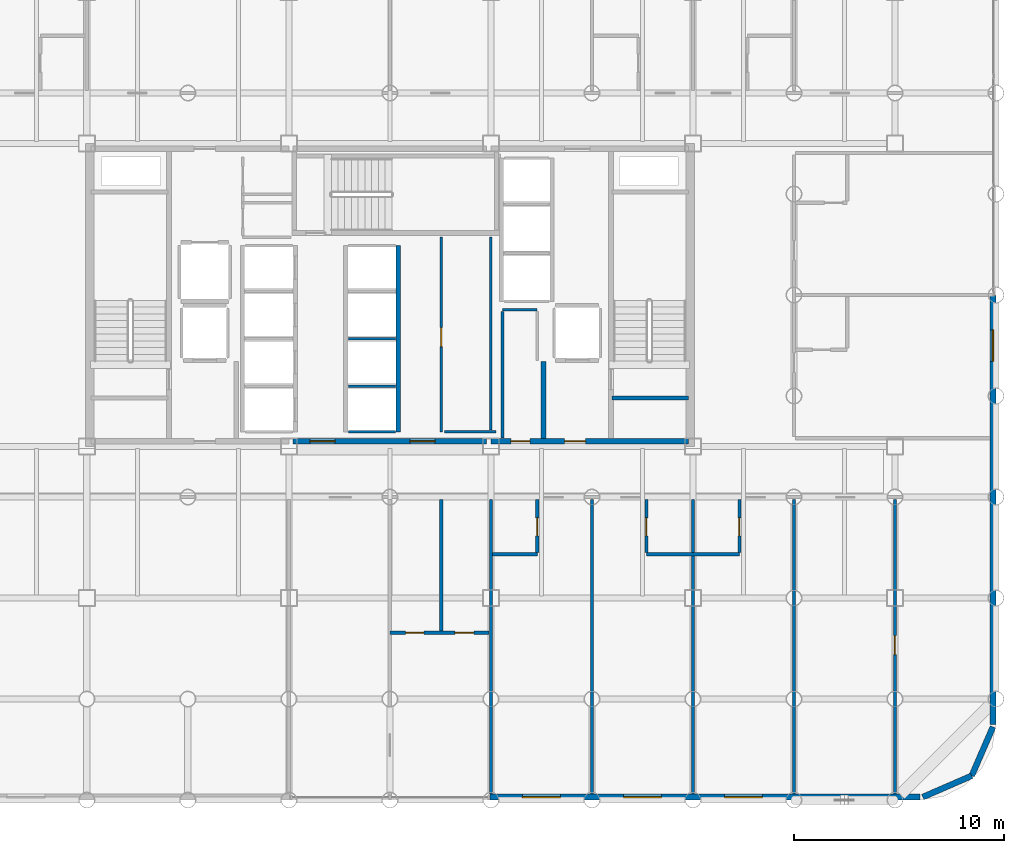
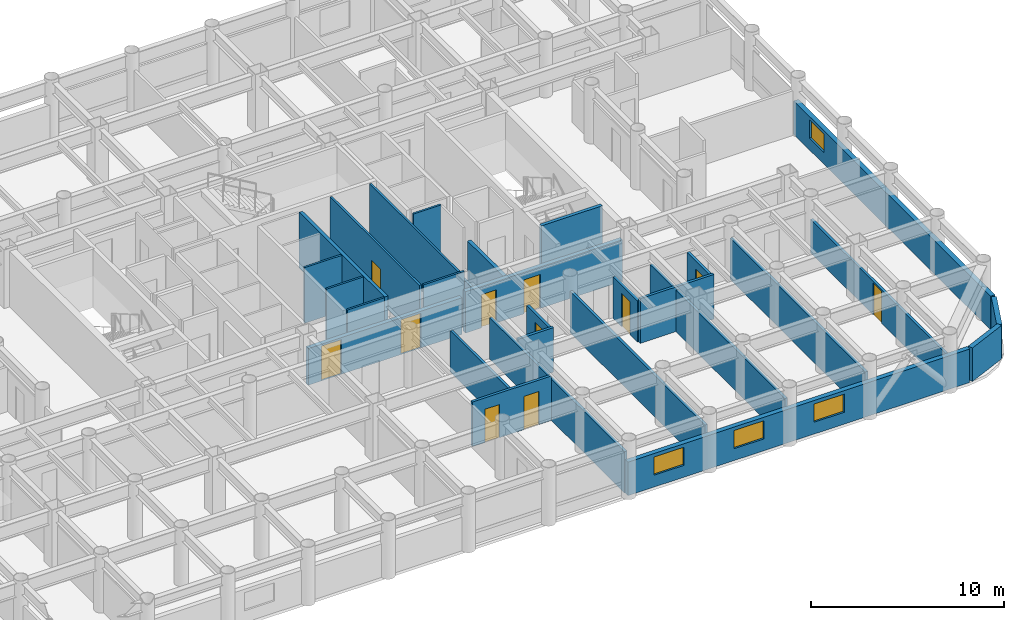
# One storey, part 17 of 22: 29 walls, 11 doors, 4 windows, 15 openings.
"""IFC4 building model written with IfcOpenShell, lengths in metres."""

from ifc_helpers import new_model, si_unit, direction, frame, frame_2d, origin, place, context, subcontext, project, spatial, rectangle, extrude, material, layer, layer_set, type_object, element, fill, save


model = new_model("IFC4")

# Units and contexts
model_context = context("Model", 3, precision=1e-05, world=origin(), true_north=direction((0.0, 1.0)))
body_context = subcontext(model_context, "Body", "Model", "MODEL_VIEW")
ifc_project = project(units=[si_unit("LENGTHUNIT", "METRE"), si_unit("AREAUNIT", "SQUARE_METRE"), si_unit("VOLUMEUNIT", "CUBIC_METRE"), si_unit("PLANEANGLEUNIT", "RADIAN"), si_unit("MASSUNIT", "GRAM", prefix="KILO")], contexts=[model_context])

# Site, building, storey
site_placement = place(None, origin())
site = spatial("IfcSite", under=ifc_project, at=site_placement, CompositionType="ELEMENT")
building_placement = place(site_placement, origin())
building = spatial("IfcBuilding", under=site, at=building_placement, Name="Kallvorn Hotel Tower", CompositionType="ELEMENT")
storey_placement = place(building_placement, frame((0.0, 0.0, 48.5)))
storey = spatial("IfcBuildingStorey", under=building, at=storey_placement, Name="L10", CompositionType="ELEMENT", Elevation=48.5)

# Wall, openings, doors
ifc_material_1 = material(Name="Fire-rated double-layer acoustic gypsum drywall EI 60")
ifc_layer_1 = layer(ifc_material_1, 0.159912109375)
ifc_layer_set_1 = layer_set([ifc_layer_1], Name="WL_DEMISE_160")
wall_type_1 = type_object("IfcWallType", Name="WL_DEMISE_160", PredefinedType="PARTITIONING", material=ifc_layer_set_1)
wall_1_placement = place(storey_placement, frame((0.0, -16.050048828125, 0.0), z_axis=(0.0, 0.0, 1.0), x_axis=(1.0, 0.0, 0.0)))
wall_1 = element("IfcWall", 1, at=wall_1_placement, inside=storey, type_object=wall_type_1, Name="L10 Suite 1003 Executive Bedroom Partition", PredefinedType="PARTITIONING", context=body_context, shape_type="SweptSolid", body=[
    extrude(rectangle(XDim=4.719970703125, YDim=0.159912109375, at=frame_2d((2.35986328125, 0.0))), origin(), (0.0, 0.0, 1.0), 2.820068359375),
])
opening_1_placement = place(wall_1_placement, frame((0.75, 0.0, 0.0)))
opening_1 = element("IfcOpeningElement", 2, at=opening_1_placement, cuts=wall_1, Name="Opening BD-I", PredefinedType="OPENING", context=body_context, shape_type="SweptSolid", body=[
    extrude(rectangle(XDim=0.860107421875, YDim=2.10009765625, at=frame_2d((0.43017578125, 1.050048828125))), frame((0.0, 0.094970703125, 0.0), z_axis=(0.0, -1.0, 0.0), x_axis=(1.0, 0.0, 0.0)), (0.0, 0.0, 1.0), 0.18994140625),
])
opening_2_placement = place(wall_1_placement, frame((3.090087890625, 0.0, 0.0)))
opening_2 = element("IfcOpeningElement", 3, at=opening_2_placement, cuts=wall_1, Name="Opening SVD1", PredefinedType="OPENING", context=body_context, shape_type="SweptSolid", body=[
    extrude(rectangle(XDim=0.89990234375, YDim=2.10009765625, at=frame_2d((0.449951171875, 1.050048828125))), frame((0.0, 0.094970703125, 0.0), z_axis=(0.0, -1.0, 0.0), x_axis=(1.0, 0.0, 0.0)), (0.0, 0.0, 1.0), 0.18994140625),
])
ifc_material_2 = material(Name="Solid-core walnut veneer fire-rated timber door leaf", Category="wood")
door_type_1 = type_object("IfcDoorType", Name="DR_BATH_860x2100", OperationType="NOTDEFINED", PredefinedType="DOOR", material=ifc_material_2)
door_1_placement = place(opening_1_placement, origin())
door_1 = element("IfcDoor", 4, at=door_1_placement, inside=storey, type_object=door_type_1, Name="L10 Suite 1003 En-Suite Bathroom Door", OperationType="SINGLE_SWING_LEFT", OverallHeight=2.10009765625, OverallWidth=0.860107421875, PredefinedType="DOOR", context=body_context, shape_type="SweptSolid", body=[
    extrude(rectangle(XDim=0.860107421875, YDim=2.10009765625, at=frame_2d((0.43017578125, 1.050048828125))), frame((0.0, 0.02490234375, 0.0), z_axis=(0.0, -1.0, 0.0), x_axis=(1.0, 0.0, 0.0)), (0.0, 0.0, 1.0), 0.050048828125),
])
fill(opening_1, door_1)
ifc_material_3 = material(Name="Galvanised painted steel fire-rated door assembly", Category="steel")
door_type_2 = type_object("IfcDoorType", Name="DR_SERV_900x2100", OperationType="NOTDEFINED", PredefinedType="DOOR", material=ifc_material_3)
door_2_placement = place(opening_2_placement, origin())
door_2 = element("IfcDoor", 5, at=door_2_placement, inside=storey, type_object=door_type_2, Name="L10 Suite 1003 Walk-In Dressing Closet Door", OperationType="SINGLE_SWING_LEFT", OverallHeight=2.10009765625, OverallWidth=0.89990234375, PredefinedType="DOOR", context=body_context, shape_type="SweptSolid", body=[
    extrude(rectangle(XDim=0.89990234375, YDim=2.10009765625, at=frame_2d((0.449951171875, 1.050048828125))), frame((0.0, 0.02490234375, 0.0), z_axis=(0.0, -1.0, 0.0), x_axis=(1.0, 0.0, 0.0)), (0.0, 0.0, 1.0), 0.050048828125),
])
fill(opening_2, door_2)

# Walls
wall_2_placement = place(storey_placement, frame((4.8798828125, -12.320068359375, 0.0), z_axis=(0.0, 0.0, 1.0), x_axis=(1.0, 0.0, 0.0)))
element("IfcWall", 6, at=wall_2_placement, inside=storey, type_object=wall_type_1, Name="L10 Suite 1004 Superior Twin Room Partition", PredefinedType="PARTITIONING", context=body_context, shape_type="SweptSolid", body=[
    extrude(rectangle(XDim=2.130126953125, YDim=0.159912109375, at=frame_2d((1.06494140625, 0.0))), origin(), (0.0, 0.0, 1.0), 2.820068359375),
])
wall_3_placement = place(storey_placement, frame((12.18994140625, -12.320068359375, 0.0), z_axis=(0.0, 0.0, 1.0), x_axis=(1.0, 0.0, 0.0)))
element("IfcWall", 7, at=wall_3_placement, inside=storey, type_object=wall_type_1, Name="L10 Suite 1005 Superior Twin Room Partition", PredefinedType="PARTITIONING", context=body_context, shape_type="SweptSolid", body=[
    extrude(rectangle(XDim=4.420166015625, YDim=0.159912109375, at=frame_2d((2.2099609375, 0.0))), origin(), (0.0, 0.0, 1.0), 2.820068359375),
])
wall_4_placement = place(storey_placement, frame((4.800048828125, -23.7099609375, 0.0), z_axis=(0.0, 0.0, 1.0), x_axis=(0.0, 1.0, 0.0)))
element("IfcWall", 8, at=wall_4_placement, inside=storey, type_object=wall_type_1, Name="L10 Suite 1003 Executive Bedroom Partition", PredefinedType="PARTITIONING", context=body_context, shape_type="SweptSolid", body=[
    extrude(rectangle(XDim=13.989990234375, YDim=0.159912109375, at=frame_2d((6.9951171875, 0.0))), origin(), (0.0, 0.0, 1.0), 2.6201171875),
])

# Wall, opening, door
wall_5_placement = place(storey_placement, frame((7.006591796875, -12.235107421875, 0.0), z_axis=(0.0, 0.0, 1.0), x_axis=(0.0, 1.0, 0.0)))
wall_5 = element("IfcWall", 9, at=wall_5_placement, inside=storey, type_object=wall_type_1, Name="L10 Suite 1004 Superior Twin Room Partition", PredefinedType="PARTITIONING", context=body_context, shape_type="SweptSolid", body=[
    extrude(rectangle(XDim=2.51513671875, YDim=0.159912109375, at=frame_2d((1.257568359375, 0.0))), origin(), (0.0, 0.0, 1.0), 2.6201171875),
])
opening_3_placement = place(wall_5_placement, frame((0.784912109375, 0.0, 0.0)))
opening_3 = element("IfcOpeningElement", 10, at=opening_3_placement, cuts=wall_5, Name="Opening BD-I", PredefinedType="OPENING", context=body_context, shape_type="SweptSolid", body=[
    extrude(rectangle(XDim=0.860107421875, YDim=2.10009765625, at=frame_2d((0.43017578125, 1.050048828125))), frame((0.0, 0.094970703125, 0.0), z_axis=(0.0, -1.0, 0.0), x_axis=(1.0, 0.0, 0.0)), (0.0, 0.0, 1.0), 0.18994140625),
])
door_3_placement = place(opening_3_placement, origin())
door_3 = element("IfcDoor", 11, at=door_3_placement, inside=storey, type_object=door_type_1, Name="L10 Suite 1004 En-Suite Bathroom Door", OperationType="SINGLE_SWING_RIGHT", OverallHeight=2.10009765625, OverallWidth=0.860107421875, PredefinedType="DOOR", context=body_context, shape_type="SweptSolid", body=[
    extrude(rectangle(XDim=0.860107421875, YDim=2.10009765625, at=frame_2d((0.43017578125, 1.050048828125))), frame((0.0, 0.02490234375, 0.0), z_axis=(0.0, -1.0, 0.0), x_axis=(1.0, 0.0, 0.0)), (0.0, 0.0, 1.0), 0.050048828125),
])
fill(opening_3, door_3)

# Wall
wall_6_placement = place(storey_placement, frame((9.60009765625, -23.7099609375, 0.0), z_axis=(0.0, 0.0, 1.0), x_axis=(0.0, 1.0, 0.0)))
element("IfcWall", 12, at=wall_6_placement, inside=storey, type_object=wall_type_1, Name="L10 Suite 1004 Superior Twin Room Partition", PredefinedType="PARTITIONING", context=body_context, shape_type="SweptSolid", body=[
    extrude(rectangle(XDim=13.989990234375, YDim=0.159912109375, at=frame_2d((6.9951171875, 0.0))), origin(), (0.0, 0.0, 1.0), 2.6201171875),
])

# Wall, opening, door
wall_7_placement = place(storey_placement, frame((12.18994140625, -12.235107421875, 0.0), z_axis=(0.0, 0.0, 1.0), x_axis=(0.0, 1.0, 0.0)))
wall_7 = element("IfcWall", 13, at=wall_7_placement, inside=storey, type_object=wall_type_1, Name="L10 Suite 1005 Superior Twin Room Partition", PredefinedType="PARTITIONING", context=body_context, shape_type="SweptSolid", body=[
    extrude(rectangle(XDim=2.51513671875, YDim=0.159912109375, at=frame_2d((1.257568359375, 0.0))), origin(), (0.0, 0.0, 1.0), 2.6201171875),
])
opening_4_placement = place(wall_7_placement, frame((0.784912109375, 0.0, 0.0)))
opening_4 = element("IfcOpeningElement", 14, at=opening_4_placement, cuts=wall_7, Name="Opening BD-I", PredefinedType="OPENING", context=body_context, shape_type="SweptSolid", body=[
    extrude(rectangle(XDim=0.860107421875, YDim=2.10009765625, at=frame_2d((0.43017578125, 1.050048828125))), frame((0.0, 0.094970703125, 0.0), z_axis=(0.0, -1.0, 0.0), x_axis=(1.0, 0.0, 0.0)), (0.0, 0.0, 1.0), 0.18994140625),
])
door_4_placement = place(opening_4_placement, origin())
door_4 = element("IfcDoor", 15, at=door_4_placement, inside=storey, type_object=door_type_1, Name="L10 Suite 1005 En-Suite Bathroom Door", OperationType="SINGLE_SWING_LEFT", OverallHeight=2.10009765625, OverallWidth=0.860107421875, PredefinedType="DOOR", context=body_context, shape_type="SweptSolid", body=[
    extrude(rectangle(XDim=0.860107421875, YDim=2.10009765625, at=frame_2d((0.43017578125, 1.050048828125))), frame((0.0, 0.02490234375, 0.0), z_axis=(0.0, -1.0, 0.0), x_axis=(1.0, 0.0, 0.0)), (0.0, 0.0, 1.0), 0.050048828125),
])
fill(opening_4, door_4)

# Wall
wall_8_placement = place(storey_placement, frame((14.39990234375, -23.7099609375, 0.0), z_axis=(0.0, 0.0, 1.0), x_axis=(0.0, 1.0, 0.0)))
element("IfcWall", 16, at=wall_8_placement, inside=storey, type_object=wall_type_1, Name="L10 Suite 1005 Superior Twin Room Partition", PredefinedType="PARTITIONING", context=body_context, shape_type="SweptSolid", body=[
    extrude(rectangle(XDim=13.989990234375, YDim=0.159912109375, at=frame_2d((6.9951171875, 0.0))), origin(), (0.0, 0.0, 1.0), 2.6201171875),
])

# Wall, opening, door
wall_9_placement = place(storey_placement, frame((16.610107421875, -12.235107421875, 0.0), z_axis=(0.0, 0.0, 1.0), x_axis=(0.0, 1.0, 0.0)))
wall_9 = element("IfcWall", 17, at=wall_9_placement, inside=storey, type_object=wall_type_1, Name="L10 Suite 1006 Superior Twin Room Partition", PredefinedType="PARTITIONING", context=body_context, shape_type="SweptSolid", body=[
    extrude(rectangle(XDim=2.51513671875, YDim=0.159912109375, at=frame_2d((1.257568359375, 0.0))), origin(), (0.0, 0.0, 1.0), 2.6201171875),
])
opening_5_placement = place(wall_9_placement, frame((0.784912109375, 0.0, 0.0)))
opening_5 = element("IfcOpeningElement", 18, at=opening_5_placement, cuts=wall_9, Name="Opening BD-I", PredefinedType="OPENING", context=body_context, shape_type="SweptSolid", body=[
    extrude(rectangle(XDim=0.860107421875, YDim=2.10009765625, at=frame_2d((0.43017578125, 1.050048828125))), frame((0.0, 0.094970703125, 0.0), z_axis=(0.0, -1.0, 0.0), x_axis=(1.0, 0.0, 0.0)), (0.0, 0.0, 1.0), 0.18994140625),
])
door_5_placement = place(opening_5_placement, origin())
door_5 = element("IfcDoor", 19, at=door_5_placement, inside=storey, type_object=door_type_1, Name="L10 Suite 1006 En-Suite Bathroom Door", OperationType="SINGLE_SWING_LEFT", OverallHeight=2.10009765625, OverallWidth=0.860107421875, PredefinedType="DOOR", context=body_context, shape_type="SweptSolid", body=[
    extrude(rectangle(XDim=0.860107421875, YDim=2.10009765625, at=frame_2d((0.43017578125, 1.050048828125))), frame((0.0, 0.02490234375, 0.0), z_axis=(0.0, -1.0, 0.0), x_axis=(1.0, 0.0, 0.0)), (0.0, 0.0, 1.0), 0.050048828125),
])
fill(opening_5, door_5)

# Walls
wall_10_placement = place(storey_placement, frame((19.199951171875, -23.7099609375, 0.0), z_axis=(0.0, 0.0, 1.0), x_axis=(0.0, 1.0, 0.0)))
element("IfcWall", 20, at=wall_10_placement, inside=storey, type_object=wall_type_1, Name="L10 Suite 1006 Superior Twin Room Partition", PredefinedType="PARTITIONING", context=body_context, shape_type="SweptSolid", body=[
    extrude(rectangle(XDim=13.989990234375, YDim=0.159912109375, at=frame_2d((6.9951171875, 0.0))), origin(), (0.0, 0.0, 1.0), 2.6201171875),
])
ifc_material_4 = material(Name="Precast basalt-clad insulated concrete wall C40/50", Category="masonry")
ifc_layer_2 = layer(ifc_material_4, 0.280029296875)
ifc_layer_set_2 = layer_set([ifc_layer_2], Name="WL_EXT_LOGGIA_280")
wall_type_2 = type_object("IfcWallType", Name="WL_EXT_LOGGIA_280", PredefinedType="SOLIDWALL", material=ifc_layer_set_2)
wall_11_placement = place(storey_placement, frame((25.32080078125, -23.85791015625, 0.0), z_axis=(0.0, 0.0, 1.0), x_axis=(0.917060872934, 0.398747232384, 0.0)))
element("IfcWall", 21, at=wall_11_placement, inside=storey, type_object=wall_type_2, Name="L10 Rounded Corner Exterior Wall SE1", PredefinedType="SOLIDWALL", context=body_context, shape_type="SweptSolid", body=[
    extrude(rectangle(XDim=2.5361328125, YDim=0.280029296875, at=frame_2d((1.26806640625, 0.0))), origin(), (0.0, 0.0, 1.0), 2.1201171875),
])
wall_12_placement = place(storey_placement, frame((27.646484375, -22.8466796875, 0.0), z_axis=(0.0, 0.0, 1.0), x_axis=(0.398792985289, 0.917040977756, 0.0)))
element("IfcWall", 22, at=wall_12_placement, inside=storey, type_object=wall_type_2, Name="L10 Rounded Corner Exterior Wall SE2", PredefinedType="SOLIDWALL", context=body_context, shape_type="SweptSolid", body=[
    extrude(rectangle(XDim=2.536376953125, YDim=0.280029296875, at=frame_2d((1.26806640625, 0.0))), origin(), (0.0, 0.0, 1.0), 2.1201171875),
])

# Wall, openings, windows
wall_13_placement = place(storey_placement, frame((4.75, -23.860107421875, 0.0), z_axis=(0.0, 0.0, 1.0), x_axis=(1.0, 0.0, 0.0)))
wall_13 = element("IfcWall", 23, at=wall_13_placement, inside=storey, type_object=wall_type_2, Name="L10 Exterior Envelope Wall EW-L10-SE", PredefinedType="SOLIDWALL", context=body_context, shape_type="SweptSolid", body=[
    extrude(rectangle(XDim=20.449951171875, YDim=0.280029296875, at=frame_2d((10.22509765625, 0.0))), origin(), (0.0, 0.0, 1.0), 2.1201171875),
])
opening_6_placement = place(wall_13_placement, frame((1.550048828125, 0.0, 0.75)))
opening_6 = element("IfcOpeningElement", 24, at=opening_6_placement, cuts=wall_13, Name="Opening W04A", PredefinedType="OPENING", context=body_context, shape_type="SweptSolid", body=[
    extrude(rectangle(XDim=1.800048828125, YDim=1.14990234375, at=frame_2d((0.89990234375, 0.574951171875))), frame((0.0, 0.155029296875, 0.0), z_axis=(0.0, -1.0, 0.0), x_axis=(1.0, 0.0, 0.0)), (0.0, 0.0, 1.0), 0.31005859375),
])
opening_7_placement = place(wall_13_placement, frame((6.35009765625, 0.0, 0.75)))
opening_7 = element("IfcOpeningElement", 25, at=opening_7_placement, cuts=wall_13, Name="Opening W04A", PredefinedType="OPENING", context=body_context, shape_type="SweptSolid", body=[
    extrude(rectangle(XDim=1.800048828125, YDim=1.14990234375, at=frame_2d((0.89990234375, 0.574951171875))), frame((0.0, 0.155029296875, 0.0), z_axis=(0.0, -1.0, 0.0), x_axis=(1.0, 0.0, 0.0)), (0.0, 0.0, 1.0), 0.31005859375),
])
opening_8_placement = place(wall_13_placement, frame((11.14990234375, 0.0, 0.75)))
opening_8 = element("IfcOpeningElement", 26, at=opening_8_placement, cuts=wall_13, Name="Opening W04A", PredefinedType="OPENING", context=body_context, shape_type="SweptSolid", body=[
    extrude(rectangle(XDim=1.800048828125, YDim=1.14990234375, at=frame_2d((0.89990234375, 0.574951171875))), frame((0.0, 0.155029296875, 0.0), z_axis=(0.0, -1.0, 0.0), x_axis=(1.0, 0.0, 0.0)), (0.0, 0.0, 1.0), 0.31005859375),
])
ifc_material_5 = material(Name="Double-glazed low-e solar-control dark glass", Category="glass")
window_type_1 = type_object("IfcWindowType", Name="WN_HTL_1800x1150", PartitioningType="SINGLE_PANEL", PredefinedType="WINDOW", material=ifc_material_5)
window_1_placement = place(opening_6_placement, origin())
window_1 = element("IfcWindow", 27, at=window_1_placement, inside=storey, type_object=window_type_1, Name="L10 Guestroom Exterior Window 03", OverallHeight=1.14990234375, OverallWidth=1.800048828125, PartitioningType="SINGLE_PANEL", PredefinedType="WINDOW", context=body_context, shape_type="SweptSolid", body=[
    extrude(rectangle(XDim=1.800048828125, YDim=1.14990234375, at=frame_2d((0.89990234375, 0.574951171875))), frame((0.0, 0.030029296875, 0.0), z_axis=(0.0, -1.0, 0.0), x_axis=(1.0, 0.0, 0.0)), (0.0, 0.0, 1.0), 0.06005859375),
])
fill(opening_6, window_1)
window_2_placement = place(opening_7_placement, origin())
window_2 = element("IfcWindow", 28, at=window_2_placement, inside=storey, type_object=window_type_1, Name="L10 Guestroom Exterior Window 04", OverallHeight=1.14990234375, OverallWidth=1.800048828125, PartitioningType="SINGLE_PANEL", PredefinedType="WINDOW", context=body_context, shape_type="SweptSolid", body=[
    extrude(rectangle(XDim=1.800048828125, YDim=1.14990234375, at=frame_2d((0.89990234375, 0.574951171875))), frame((0.0, 0.030029296875, 0.0), z_axis=(0.0, -1.0, 0.0), x_axis=(1.0, 0.0, 0.0)), (0.0, 0.0, 1.0), 0.06005859375),
])
fill(opening_7, window_2)
window_3_placement = place(opening_8_placement, origin())
window_3 = element("IfcWindow", 29, at=window_3_placement, inside=storey, type_object=window_type_1, Name="L10 Guestroom Exterior Window 05", OverallHeight=1.14990234375, OverallWidth=1.800048828125, PartitioningType="SINGLE_PANEL", PredefinedType="WINDOW", context=body_context, shape_type="SweptSolid", body=[
    extrude(rectangle(XDim=1.800048828125, YDim=1.14990234375, at=frame_2d((0.89990234375, 0.574951171875))), frame((0.0, 0.030029296875, 0.0), z_axis=(0.0, -1.0, 0.0), x_axis=(1.0, 0.0, 0.0)), (0.0, 0.0, 1.0), 0.06005859375),
])
fill(opening_8, window_3)

# Wall, opening, window
wall_14_placement = place(storey_placement, frame((28.659912109375, -20.39990234375, 0.0), z_axis=(0.0, 0.0, 1.0), x_axis=(0.0, 1.0, 0.0)))
wall_14 = element("IfcWall", 30, at=wall_14_placement, inside=storey, type_object=wall_type_2, Name="L10 Exterior Envelope Wall EW-L10-ES", PredefinedType="SOLIDWALL", context=body_context, shape_type="SweptSolid", body=[
    extrude(rectangle(XDim=20.3798828125, YDim=0.280029296875, at=frame_2d((10.18994140625, 0.0))), origin(), (0.0, 0.0, 1.0), 2.1201171875),
])
opening_9_placement = place(wall_14_placement, frame((17.25, 0.0, 0.75)))
opening_9 = element("IfcOpeningElement", 31, at=opening_9_placement, cuts=wall_14, Name="Opening W05A", PredefinedType="OPENING", context=body_context, shape_type="SweptSolid", body=[
    extrude(rectangle(XDim=1.5, YDim=1.14990234375, at=frame_2d((0.75, 0.574951171875))), frame((0.0, 0.155029296875, 0.0), z_axis=(0.0, -1.0, 0.0), x_axis=(1.0, 0.0, 0.0)), (0.0, 0.0, 1.0), 0.31005859375),
])
ifc_material_6 = material(Name="Double-glazed low-e solar-control dark glass", Category="glass")
window_type_2 = type_object("IfcWindowType", Name="WN_HTL_1500x1150", PartitioningType="SINGLE_PANEL", PredefinedType="WINDOW", material=ifc_material_6)
window_4_placement = place(opening_9_placement, origin())
window_4 = element("IfcWindow", 32, at=window_4_placement, inside=storey, type_object=window_type_2, Name="L10 Flank Wing Window 01", OverallHeight=1.14990234375, OverallWidth=1.5, PartitioningType="SINGLE_PANEL", PredefinedType="WINDOW", context=body_context, shape_type="SweptSolid", body=[
    extrude(rectangle(XDim=1.5, YDim=1.14990234375, at=frame_2d((0.75, 0.574951171875))), frame((0.0, 0.030029296875, 0.0), z_axis=(0.0, -1.0, 0.0), x_axis=(1.0, 0.0, 0.0)), (0.0, 0.0, 1.0), 0.06005859375),
])
fill(opening_9, window_4)

# Walls
ifc_material_7 = material(Name="Concrete C40/50", Category="concrete")
ifc_layer_3 = layer(ifc_material_7, 0.219970703125)
ifc_layer_set_3 = layer_set([ifc_layer_3], Name="WL_FFL_220")
wall_type_3 = type_object("IfcWallType", Name="WL_FFL_220", PredefinedType="SOLIDWALL", material=ifc_layer_set_3)
wall_15_placement = place(storey_placement, frame((7.300048828125, -6.820068359375, 0.0), z_axis=(0.0, 0.0, 1.0), x_axis=(0.0, 1.0, 0.0)))
element("IfcWall", 33, at=wall_15_placement, inside=storey, type_object=wall_type_3, Name="L10 Firefighting Lobby East Divider Wall", PredefinedType="SOLIDWALL", context=body_context, shape_type="SweptSolid", body=[
    extrude(rectangle(XDim=3.670166015625, YDim=0.219970703125, at=frame_2d((1.8349609375, 0.0))), origin(), (0.0, 0.0, 1.0), 2.6201171875),
])
ifc_material_8 = material(Name="Concrete C40/50", Category="concrete")
ifc_layer_4 = layer(ifc_material_8, 0.199951171875)
ifc_layer_set_4 = layer_set([ifc_layer_4], Name="WL_HOIST_200")
wall_type_4 = type_object("IfcWallType", Name="WL_HOIST_200", PredefinedType="SOLIDWALL", material=ifc_layer_set_4)
wall_16_placement = place(storey_placement, frame((10.550048828125, -4.89990234375, -0.179931640625), z_axis=(0.0, 0.0, 1.0), x_axis=(1.0, 0.0, 0.0)))
element("IfcWall", 34, at=wall_16_placement, inside=storey, type_object=wall_type_4, Name="L10 Stair ST2 South Wall", PredefinedType="SOLIDWALL", context=body_context, shape_type="SweptSolid", body=[
    extrude(rectangle(XDim=3.64990234375, YDim=0.199951171875, at=frame_2d((1.824951171875, 0.0))), origin(), (0.0, 0.0, 1.0), 3.699951171875),
])
wall_17_placement = place(storey_placement, frame((0.39990234375, -6.5, 0.0), z_axis=(0.0, 0.0, 1.0), x_axis=(0.0, 1.0, 0.0)))
element("IfcWall", 35, at=wall_17_placement, inside=storey, type_object=wall_type_4, Name="L10 Lift Bank B2 Rear Shaft Wall", PredefinedType="SOLIDWALL", context=body_context, shape_type="SweptSolid", body=[
    extrude(rectangle(XDim=8.85009765625, YDim=0.199951171875, at=frame_2d((4.425048828125, 0.0))), origin(), (0.0, 0.0, 1.0), 3.52001953125),
])
ifc_material_9 = material(Name="Fire-rated double-layer acoustic gypsum drywall EI 60")
ifc_layer_5 = layer(ifc_material_9, 0.1201171875)
ifc_layer_set_5 = layer_set([ifc_layer_5], Name="WL_INT_120")
wall_type_5 = type_object("IfcWallType", Name="WL_INT_120", PredefinedType="PARTITIONING", material=ifc_layer_set_5)
for number, where, z_axis, x_axis, name in (
    (36, (-1.9599609375, -6.5, 0.0), (0.0, 0.0, 1.0), (1.0, 0.0, 0.0), "L10 Lift Bank B2 South Closure Wall"),
    (37, (-1.9599609375, -4.324951171875, 0.0), (0.0, 0.0, 1.0), (1.0, 0.0, 0.0), "L10 PL-05 Hoistway Divider"),
    (38, (-1.9599609375, -2.074951171875, 0.0), (0.0, 0.0, 1.0), (1.0, 0.0, 0.0), "L10 PL-06 Hoistway Divider"),
):
    element("IfcWall", number, at=place(storey_placement, frame(where, z_axis=z_axis, x_axis=x_axis)), inside=storey, type_object=wall_type_5, Name=name, PredefinedType="PARTITIONING", context=body_context, shape_type="SweptSolid", body=[
        extrude(rectangle(XDim=2.219970703125, YDim=0.1201171875, at=frame_2d((1.10986328125, 0.0))), origin(), (0.0, 0.0, 1.0), 3.52001953125),
    ])
wall_18_placement = place(storey_placement, frame((2.60009765625, -6.5, 0.0), z_axis=(0.0, 0.0, 1.0), x_axis=(1.0, 0.0, 0.0)))
element("IfcWall", 39, at=wall_18_placement, inside=storey, type_object=wall_type_5, Name="L10 East Core Consolidated Linen and Supply Store Partition", PredefinedType="PARTITIONING", context=body_context, shape_type="SweptSolid", body=[
    extrude(rectangle(XDim=2.449951171875, YDim=0.1201171875, at=frame_2d((1.22509765625, 0.0))), origin(), (0.0, 0.0, 1.0), 3.52001953125),
])
wall_19_placement = place(storey_placement, frame((5.35009765625, -0.699951171875, 0.0), z_axis=(0.0, 0.0, 1.0), x_axis=(1.0, 0.0, 0.0)))
element("IfcWall", 40, at=wall_19_placement, inside=storey, type_object=wall_type_5, Name="L10 Core Utility and Meter Room Partition", PredefinedType="PARTITIONING", context=body_context, shape_type="SweptSolid", body=[
    extrude(rectangle(XDim=1.64990234375, YDim=0.1201171875, at=frame_2d((0.824951171875, 0.0))), origin(), (0.0, 0.0, 1.0), 3.52001953125),
])

# Wall, opening, door
wall_20_placement = place(storey_placement, frame((2.43994140625, -6.5, 0.0), z_axis=(0.0, 0.0, 1.0), x_axis=(0.0, 1.0, 0.0)))
wall_20 = element("IfcWall", 41, at=wall_20_placement, inside=storey, type_object=wall_type_5, Name="L10 East Core Consolidated Linen and Supply Store Partition", PredefinedType="PARTITIONING", context=body_context, shape_type="SweptSolid", body=[
    extrude(rectangle(XDim=9.25, YDim=0.1201171875, at=frame_2d((4.625, 0.0))), origin(), (0.0, 0.0, 1.0), 3.52001953125),
])
opening_10_placement = place(wall_20_placement, frame((4.050048828125, 0.0, 0.0)))
opening_10 = element("IfcOpeningElement", 42, at=opening_10_placement, cuts=wall_20, Name="Opening SVD1", PredefinedType="OPENING", context=body_context, shape_type="SweptSolid", body=[
    extrude(rectangle(XDim=0.89990234375, YDim=2.10009765625, at=frame_2d((0.449951171875, 1.050048828125))), frame((0.0, 0.074951171875, 0.0), z_axis=(0.0, -1.0, 0.0), x_axis=(1.0, 0.0, 0.0)), (0.0, 0.0, 1.0), 0.150146484375),
])
door_6_placement = place(opening_10_placement, origin())
door_6 = element("IfcDoor", 43, at=door_6_placement, inside=storey, type_object=door_type_2, Name="L10 East Core Consolidated Linen and Supply Store Door", OperationType="SINGLE_SWING_RIGHT", OverallHeight=2.10009765625, OverallWidth=0.89990234375, PredefinedType="DOOR", context=body_context, shape_type="SweptSolid", body=[
    extrude(rectangle(XDim=0.89990234375, YDim=2.10009765625, at=frame_2d((0.449951171875, 1.050048828125))), frame((0.0, 0.02490234375, 0.0), z_axis=(0.0, -1.0, 0.0), x_axis=(1.0, 0.0, 0.0)), (0.0, 0.0, 1.0), 0.050048828125),
])
fill(opening_10, door_6)

# Walls
wall_21_placement = place(storey_placement, frame((4.800048828125, -6.4150390625, 0.0), z_axis=(0.0, 0.0, 1.0), x_axis=(0.0, 1.0, 0.0)))
element("IfcWall", 44, at=wall_21_placement, inside=storey, type_object=wall_type_5, Name="L10 East Core Consolidated Linen and Supply Store Partition", PredefinedType="PARTITIONING", context=body_context, shape_type="SweptSolid", body=[
    extrude(rectangle(XDim=9.1650390625, YDim=0.1201171875, at=frame_2d((4.58251953125, 0.0))), origin(), (0.0, 0.0, 1.0), 3.52001953125),
])
wall_22_placement = place(storey_placement, frame((5.35009765625, -6.800048828125, 0.0), z_axis=(0.0, 0.0, 1.0), x_axis=(0.0, 1.0, 0.0)))
element("IfcWall", 45, at=wall_22_placement, inside=storey, type_object=wall_type_5, Name="L10 Core Utility and Meter Room Partition", PredefinedType="PARTITIONING", context=body_context, shape_type="SweptSolid", body=[
    extrude(rectangle(XDim=6.01513671875, YDim=0.1201171875, at=frame_2d((3.007568359375, 0.0))), origin(), (0.0, 0.0, 1.0), 2.6201171875),
])
ifc_material_10 = material(Name="Fire-rated double-layer acoustic gypsum drywall EI 60")
ifc_layer_6 = layer(ifc_material_10, 0.14990234375)
ifc_layer_set_6 = layer_set([ifc_layer_6], Name="WL_PART_150")
wall_type_6 = type_object("IfcWallType", Name="WL_PART_150", PredefinedType="PARTITIONING", material=ifc_layer_set_6)
wall_23_placement = place(storey_placement, frame((2.43994140625, -15.965087890625, 0.0), z_axis=(0.0, 0.0, 1.0), x_axis=(0.0, 1.0, 0.0)))
element("IfcWall", 46, at=wall_23_placement, inside=storey, type_object=wall_type_6, Name="L10 Suite 1003 Walk-In Dressing Closet Partition", PredefinedType="PARTITIONING", context=body_context, shape_type="SweptSolid", body=[
    extrude(rectangle(XDim=6.2451171875, YDim=0.14990234375, at=frame_2d((3.12255859375, 0.0))), origin(), (0.0, 0.0, 1.0), 2.6201171875),
])

# Wall, opening, door
wall_24_placement = place(storey_placement, frame((24.0, -23.7099609375, 0.0), z_axis=(0.0, 0.0, 1.0), x_axis=(0.0, 1.0, 0.0)))
wall_24 = element("IfcWall", 47, at=wall_24_placement, inside=storey, type_object=wall_type_6, Name="L10 L10 South-East Sommelier Bar A Partition", PredefinedType="PARTITIONING", context=body_context, shape_type="SweptSolid", body=[
    extrude(rectangle(XDim=13.989990234375, YDim=0.14990234375, at=frame_2d((6.9951171875, 0.0))), origin(), (0.0, 0.0, 1.0), 2.1201171875),
])
opening_11_placement = place(wall_24_placement, frame((6.625, 0.0, 0.0)))
opening_11 = element("IfcOpeningElement", 48, at=opening_11_placement, cuts=wall_24, Name="Opening SVD1A", PredefinedType="OPENING", context=body_context, shape_type="SweptSolid", body=[
    extrude(rectangle(XDim=0.89990234375, YDim=2.02001953125, at=frame_2d((0.449951171875, 1.010009765625))), frame((0.0, 0.08984375, 0.0), z_axis=(0.0, -1.0, 0.0), x_axis=(1.0, 0.0, 0.0)), (0.0, 0.0, 1.0), 0.179931640625),
])
ifc_material_11 = material(Name="Galvanised painted steel fire-rated door assembly", Category="steel")
door_type_3 = type_object("IfcDoorType", Name="DR_SERV_900x2020", OperationType="NOTDEFINED", PredefinedType="DOOR", material=ifc_material_11)
door_7_placement = place(opening_11_placement, origin())
door_7 = element("IfcDoor", 49, at=door_7_placement, inside=storey, type_object=door_type_3, Name="L10 L10 South-East Sommelier Bar B Door", OperationType="SINGLE_SWING_RIGHT", OverallHeight=2.02001953125, OverallWidth=0.89990234375, PredefinedType="DOOR", context=body_context, shape_type="SweptSolid", body=[
    extrude(rectangle(XDim=0.89990234375, YDim=2.02001953125, at=frame_2d((0.449951171875, 1.010009765625))), frame((0.0, 0.02490234375, 0.0), z_axis=(0.0, -1.0, 0.0), x_axis=(1.0, 0.0, 0.0)), (0.0, 0.0, 1.0), 0.050048828125),
])
fill(opening_11, door_7)

# Wall, openings, doors
ifc_material_12 = material(Name="Concrete C40/50", Category="concrete")
ifc_layer_7 = layer(ifc_material_12, 0.25)
ifc_layer_set_7 = layer_set([ifc_layer_7], Name="WL_SHAFT_250")
wall_type_7 = type_object("IfcWallType", Name="WL_SHAFT_250", PredefinedType="SOLIDWALL", material=ifc_layer_set_7)
wall_25_placement = place(storey_placement, frame((-4.60009765625, -6.949951171875, 0.0), z_axis=(0.0, 0.0, 1.0), x_axis=(1.0, 0.0, 0.0)))
wall_25 = element("IfcWall", 50, at=wall_25_placement, inside=storey, type_object=wall_type_7, Name="L10 Core South-Central Wall", PredefinedType="SOLIDWALL", context=body_context, shape_type="SweptSolid", body=[
    extrude(rectangle(XDim=9.2001953125, YDim=0.25, at=frame_2d((4.60009765625, 0.0))), origin(), (0.0, 0.0, 1.0), 2.320068359375),
])
opening_12_placement = place(wall_25_placement, frame((0.800048828125, 0.0, 0.0)))
opening_12 = element("IfcOpeningElement", 51, at=opening_12_placement, cuts=wall_25, Name="Opening FD2", PredefinedType="OPENING", context=body_context, shape_type="SweptSolid", body=[
    extrude(rectangle(XDim=1.199951171875, YDim=2.199951171875, at=frame_2d((0.60009765625, 1.10009765625))), frame((0.0, 0.139892578125, 0.0), z_axis=(0.0, -1.0, 0.0), x_axis=(1.0, 0.0, 0.0)), (0.0, 0.0, 1.0), 0.280029296875),
])
opening_13_placement = place(wall_25_placement, frame((5.550048828125, 0.0, 0.0)))
opening_13 = element("IfcOpeningElement", 52, at=opening_13_placement, cuts=wall_25, Name="Opening FD2", PredefinedType="OPENING", context=body_context, shape_type="SweptSolid", body=[
    extrude(rectangle(XDim=1.199951171875, YDim=2.199951171875, at=frame_2d((0.60009765625, 1.10009765625))), frame((0.0, 0.139892578125, 0.0), z_axis=(0.0, -1.0, 0.0), x_axis=(1.0, 0.0, 0.0)), (0.0, 0.0, 1.0), 0.280029296875),
])
ifc_material_13 = material(Name="Galvanised painted steel fire-rated door assembly", Category="steel")
door_type_4 = type_object("IfcDoorType", Name="DR_LOBBY_1200x2200", OperationType="DOUBLE_DOOR_SINGLE_SWING", PredefinedType="DOOR", material=ifc_material_13)
door_8_placement = place(opening_12_placement, origin())
door_8 = element("IfcDoor", 53, at=door_8_placement, inside=storey, type_object=door_type_4, Name="L10 West Passenger Lift Lobby Door", OperationType="DOUBLE_DOOR_SINGLE_SWING", OverallHeight=2.199951171875, OverallWidth=1.199951171875, PredefinedType="DOOR", context=body_context, shape_type="SweptSolid", body=[
    extrude(rectangle(XDim=1.199951171875, YDim=2.199951171875, at=frame_2d((0.60009765625, 1.10009765625))), frame((0.0, 0.02490234375, 0.0), z_axis=(0.0, -1.0, 0.0), x_axis=(1.0, 0.0, 0.0)), (0.0, 0.0, 1.0), 0.050048828125),
])
fill(opening_12, door_8)
door_9_placement = place(opening_13_placement, origin())
door_9 = element("IfcDoor", 54, at=door_9_placement, inside=storey, type_object=door_type_4, Name="L10 East Passenger Lift Lobby Door", OperationType="DOUBLE_DOOR_SINGLE_SWING", OverallHeight=2.199951171875, OverallWidth=1.199951171875, PredefinedType="DOOR", context=body_context, shape_type="SweptSolid", body=[
    extrude(rectangle(XDim=1.199951171875, YDim=2.199951171875, at=frame_2d((0.60009765625, 1.10009765625))), frame((0.0, 0.02490234375, 0.0), z_axis=(0.0, -1.0, 0.0), x_axis=(1.0, 0.0, 0.0)), (0.0, 0.0, 1.0), 0.050048828125),
])
fill(opening_13, door_9)

wall_26_placement = place(storey_placement, frame((4.800048828125, -6.949951171875, 0.0), z_axis=(0.0, 0.0, 1.0), x_axis=(1.0, 0.0, 0.0)))
wall_26 = element("IfcWall", 55, at=wall_26_placement, inside=storey, type_object=wall_type_7, Name="L10 Core South-East Wall", PredefinedType="SOLIDWALL", context=body_context, shape_type="SweptSolid", body=[
    extrude(rectangle(XDim=9.39990234375, YDim=0.25, at=frame_2d((4.699951171875, 0.0))), origin(), (0.0, 0.0, 1.0), 2.6201171875),
])
opening_14_placement = place(wall_26_placement, frame((3.5, 0.0, 0.0)))
opening_14 = element("IfcOpeningElement", 56, at=opening_14_placement, cuts=wall_26, Name="Opening FD1", PredefinedType="OPENING", context=body_context, shape_type="SweptSolid", body=[
    extrude(rectangle(XDim=1.0, YDim=2.14990234375, at=frame_2d((0.5, 1.074951171875))), frame((0.0, 0.139892578125, 0.0), z_axis=(0.0, -1.0, 0.0), x_axis=(1.0, 0.0, 0.0)), (0.0, 0.0, 1.0), 0.280029296875),
])
opening_15_placement = place(wall_26_placement, frame((0.949951171875, 0.0, 0.0)))
opening_15 = element("IfcOpeningElement", 57, at=opening_15_placement, cuts=wall_26, Name="Opening SVD1", PredefinedType="OPENING", context=body_context, shape_type="SweptSolid", body=[
    extrude(rectangle(XDim=0.89990234375, YDim=2.10009765625, at=frame_2d((0.449951171875, 1.050048828125))), frame((0.0, 0.139892578125, 0.0), z_axis=(0.0, -1.0, 0.0), x_axis=(1.0, 0.0, 0.0)), (0.0, 0.0, 1.0), 0.280029296875),
])
ifc_material_14 = material(Name="Galvanised painted steel fire-rated door assembly", Category="steel")
door_type_5 = type_object("IfcDoorType", Name="DR_FFL_1000x2150", OperationType="NOTDEFINED", PredefinedType="DOOR", material=ifc_material_14)
door_10_placement = place(opening_14_placement, origin())
door_10 = element("IfcDoor", 58, at=door_10_placement, inside=storey, type_object=door_type_5, Name="L10 Firefighting Lobby East Door", OperationType="SINGLE_SWING_RIGHT", OverallHeight=2.14990234375, OverallWidth=1.0, PredefinedType="DOOR", context=body_context, shape_type="SweptSolid", body=[
    extrude(rectangle(XDim=1.0, YDim=2.14990234375, at=frame_2d((0.5, 1.074951171875))), frame((0.0, 0.02490234375, 0.0), z_axis=(0.0, -1.0, 0.0), x_axis=(1.0, 0.0, 0.0)), (0.0, 0.0, 1.0), 0.050048828125),
])
fill(opening_14, door_10)
door_11_placement = place(opening_15_placement, origin())
door_11 = element("IfcDoor", 59, at=door_11_placement, inside=storey, type_object=door_type_2, Name="L10 Core Utility and Meter Room Door", OperationType="SINGLE_SWING_LEFT", OverallHeight=2.10009765625, OverallWidth=0.89990234375, PredefinedType="DOOR", context=body_context, shape_type="SweptSolid", body=[
    extrude(rectangle(XDim=0.89990234375, YDim=2.10009765625, at=frame_2d((0.449951171875, 1.050048828125))), frame((0.0, 0.02490234375, 0.0), z_axis=(0.0, -1.0, 0.0), x_axis=(1.0, 0.0, 0.0)), (0.0, 0.0, 1.0), 0.050048828125),
])
fill(opening_15, door_11)

save(model, "model.ifc")
